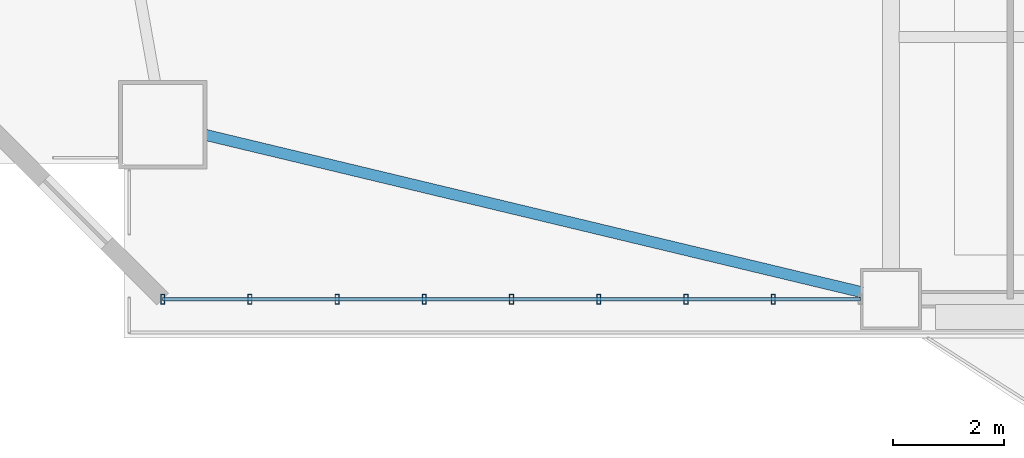
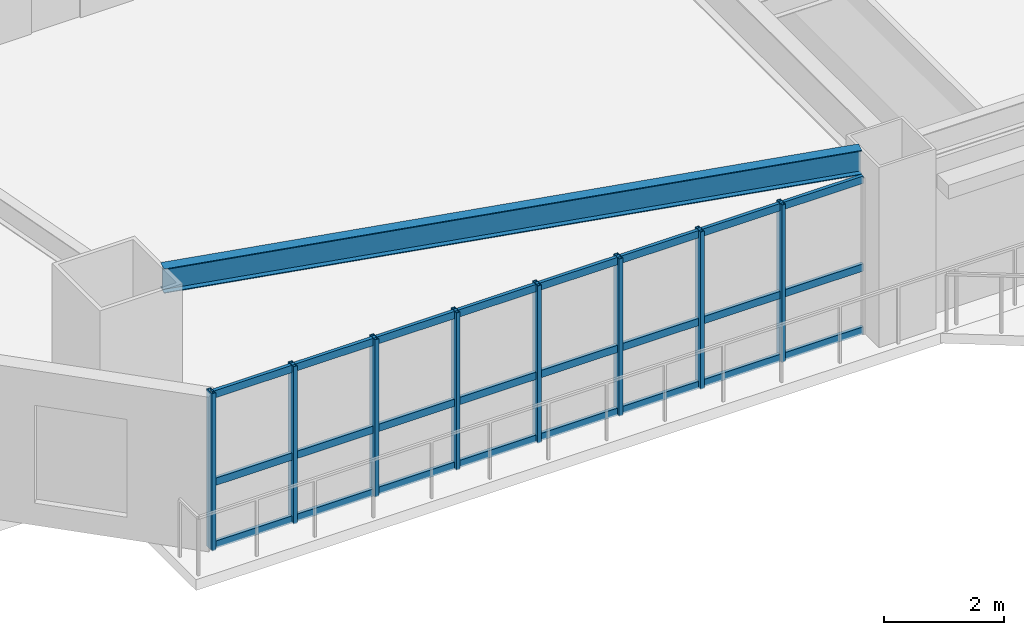
# One storey, part 2 of 17: 11 members, 1 beam, 1 element without a shape of its own.
"""IFC4 building model written with IfcOpenShell, lengths in metres."""

from ifc_helpers import new_model, si_unit, direction, frame, origin, origin_2d, place, context, subcontext, project, spatial, hollow_rectangle, i_section, extrude, source, transform, mapped, material, layer, layer_set, material_profile, profile_set, type_object, element, aggregate, save


model = new_model("IFC4")

# Units and contexts
model_context = context("Model", 3, precision=1e-05, world=origin(), true_north=direction((0.0, 1.0)))
body_context = subcontext(model_context, "Body", "Model", "MODEL_VIEW")
ifc_project = project(units=[si_unit("LENGTHUNIT", "METRE"), si_unit("AREAUNIT", "SQUARE_METRE"), si_unit("VOLUMEUNIT", "CUBIC_METRE"), si_unit("PLANEANGLEUNIT", "RADIAN"), si_unit("MASSUNIT", "GRAM", prefix="KILO")], contexts=[model_context])

# Site, building, storey
site_placement = place(None, origin())
site = spatial("IfcSite", under=ifc_project, at=site_placement, CompositionType="ELEMENT")
building_placement = place(site_placement, origin())
building = spatial("IfcBuilding", under=site, at=building_placement, Name="Giltprow Tower", CompositionType="ELEMENT")
storey_placement = place(building_placement, frame((0.0, 0.0, 53.300048828125)))
storey = spatial("IfcBuildingStorey", under=building, at=storey_placement, Name="L13", CompositionType="ELEMENT", Elevation=53.300048828125)

# Beam
ifc_material_1 = material(Name="Structural steel Q355B", Category="steel")
ifc_material_profile_1 = material_profile(ifc_material_1, i_section(OverallWidth=0.199951171875, OverallDepth=0.5, WebThickness=0.010009765625, FlangeThickness=0.01611328125, at=origin_2d()), Name="HN 500x200x10x16")
ifc_profile_set_1 = profile_set([ifc_material_profile_1], Name="Structural steel Q355B")
beam_type = type_object("IfcBeamType", Name="BM-SPAN-HN500", PredefinedType="SPANDREL", material=ifc_profile_set_1)
shared_shape_1 = source(origin(), body_context, "Body", "SweptSolid", [
    extrude(i_section(OverallWidth=0.199951171875, OverallDepth=0.5, WebThickness=0.010009765625, FlangeThickness=0.01611328125, at=origin_2d()), origin(), (0.0, 0.0, 1.0), 12.184814453125),
])
beam_placement = place(storey_placement, frame((7.48095703125, 7.319091796875, 3.429931640625), z_axis=(0.972456190307, -0.233085730866, 0.0), x_axis=(0.233085730866, 0.972456190307, 0.0)))
element("IfcBeam", 1, at=beam_placement, inside=storey, type_object=beam_type, Name="L13 Perimeter Spandrel Beam MC_SW-S1", PredefinedType="SPANDREL", context=body_context, shape_type="MappedRepresentation", body=[
    mapped(shared_shape_1, transform((0.0, 0.0, 0.0), x_axis=(1.0, 0.0, 0.0), y_axis=(0.0, 1.0, 0.0), z_axis=(0.0, 0.0, 1.0), scale=1.0)),
])

# Curtain wall, members
ifc_material_2 = material(Name="Anodized bronze", Category="metal")
ifc_layer = layer(ifc_material_2, 0.179931640625, Name="Anodized bronze")
ifc_layer_set = layer_set([ifc_layer], Name="Anodized bronze")
curtain_wall_type = type_object("IfcCurtainWallType", Name="CW-OFF-RECESSED", PredefinedType="NOTDEFINED", material=ifc_layer_set)
curtain_wall_placement = place(storey_placement, origin())
curtain_wall = element("IfcCurtainWall", 2, at=curtain_wall_placement, inside=storey, type_object=curtain_wall_type, Name="L13 South Recessed Curtain Wall 1", PredefinedType="NOTDEFINED")
ifc_material_profile_2 = material_profile(ifc_material_2, hollow_rectangle(XDim=0.074951171875, YDim=0.179931640625, WallThickness=0.008056640625, at=origin_2d()), Name="RHS 180x75x8")
ifc_profile_set_2 = profile_set([ifc_material_profile_2], Name="Anodized bronze")
member_type_1 = type_object("IfcMemberType", Name="CW-MULLION-180x75", PredefinedType="MULLION", material=ifc_profile_set_2)
shared_shape_2 = source(origin(), body_context, "Body", "SweptSolid", [
    extrude(hollow_rectangle(XDim=0.074951171875, YDim=0.179931640625, WallThickness=0.008056640625, at=origin_2d()), origin(), (0.0, 0.0, 1.0), 3.215087890625),
])
member_1_placement = place(storey_placement, frame((6.718017578125, 4.35400390625, -0.02001953125), z_axis=(0.0, 0.0, 1.0), x_axis=(1.0, 0.0, 0.0)))
member_1 = element("IfcMember", 3, at=member_1_placement, type_object=member_type_1, Name="L13 South Recessed Curtain Wall 1 Mullion 1", PredefinedType="MULLION", context=body_context, shape_type="MappedRepresentation", body=[
    mapped(shared_shape_2, transform((0.0, 0.0, 0.0), x_axis=(1.0, 0.0, 0.0), y_axis=(0.0, 1.0, 0.0), z_axis=(0.0, 0.0, 1.0), scale=1.0)),
])
member_2_placement = place(storey_placement, frame((8.291015625, 4.35400390625, -0.02001953125), z_axis=(0.0, 0.0, 1.0), x_axis=(1.0, 0.0, 0.0)))
member_2 = element("IfcMember", 4, at=member_2_placement, type_object=member_type_1, Name="L13 South Recessed Curtain Wall 1 Mullion 2", PredefinedType="MULLION", context=body_context, shape_type="MappedRepresentation", body=[
    mapped(shared_shape_2, transform((0.0, 0.0, 0.0), x_axis=(1.0, 0.0, 0.0), y_axis=(0.0, 1.0, 0.0), z_axis=(0.0, 0.0, 1.0), scale=1.0)),
])
member_3_placement = place(storey_placement, frame((9.864013671875, 4.35400390625, -0.02001953125), z_axis=(0.0, 0.0, 1.0), x_axis=(1.0, 0.0, 0.0)))
member_3 = element("IfcMember", 5, at=member_3_placement, type_object=member_type_1, Name="L13 South Recessed Curtain Wall 1 Mullion 3", PredefinedType="MULLION", context=body_context, shape_type="MappedRepresentation", body=[
    mapped(shared_shape_2, transform((0.0, 0.0, 0.0), x_axis=(1.0, 0.0, 0.0), y_axis=(0.0, 1.0, 0.0), z_axis=(0.0, 0.0, 1.0), scale=1.0)),
])
member_4_placement = place(storey_placement, frame((11.43603515625, 4.35400390625, -0.02001953125), z_axis=(0.0, 0.0, 1.0), x_axis=(1.0, 0.0, 0.0)))
member_4 = element("IfcMember", 6, at=member_4_placement, type_object=member_type_1, Name="L13 South Recessed Curtain Wall 1 Mullion 4", PredefinedType="MULLION", context=body_context, shape_type="MappedRepresentation", body=[
    mapped(shared_shape_2, transform((0.0, 0.0, 0.0), x_axis=(1.0, 0.0, 0.0), y_axis=(0.0, 1.0, 0.0), z_axis=(0.0, 0.0, 1.0), scale=1.0)),
])
member_5_placement = place(storey_placement, frame((13.009033203125, 4.35400390625, -0.02001953125), z_axis=(0.0, 0.0, 1.0), x_axis=(1.0, 0.0, 0.0)))
member_5 = element("IfcMember", 7, at=member_5_placement, type_object=member_type_1, Name="L13 South Recessed Curtain Wall 1 Mullion 5", PredefinedType="MULLION", context=body_context, shape_type="MappedRepresentation", body=[
    mapped(shared_shape_2, transform((0.0, 0.0, 0.0), x_axis=(1.0, 0.0, 0.0), y_axis=(0.0, 1.0, 0.0), z_axis=(0.0, 0.0, 1.0), scale=1.0)),
])
member_6_placement = place(storey_placement, frame((14.58203125, 4.35400390625, -0.02001953125), z_axis=(0.0, 0.0, 1.0), x_axis=(1.0, 0.0, 0.0)))
member_6 = element("IfcMember", 8, at=member_6_placement, type_object=member_type_1, Name="L13 South Recessed Curtain Wall 1 Mullion 6", PredefinedType="MULLION", context=body_context, shape_type="MappedRepresentation", body=[
    mapped(shared_shape_2, transform((0.0, 0.0, 0.0), x_axis=(1.0, 0.0, 0.0), y_axis=(0.0, 1.0, 0.0), z_axis=(0.0, 0.0, 1.0), scale=1.0)),
])
member_7_placement = place(storey_placement, frame((16.154052734375, 4.35400390625, -0.02001953125), z_axis=(0.0, 0.0, 1.0), x_axis=(1.0, 0.0, 0.0)))
member_7 = element("IfcMember", 9, at=member_7_placement, type_object=member_type_1, Name="L13 South Recessed Curtain Wall 1 Mullion 7", PredefinedType="MULLION", context=body_context, shape_type="MappedRepresentation", body=[
    mapped(shared_shape_2, transform((0.0, 0.0, 0.0), x_axis=(1.0, 0.0, 0.0), y_axis=(0.0, 1.0, 0.0), z_axis=(0.0, 0.0, 1.0), scale=1.0)),
])
member_8_placement = place(storey_placement, frame((17.72705078125, 4.35400390625, -0.02001953125), z_axis=(0.0, 0.0, 1.0), x_axis=(1.0, 0.0, 0.0)))
member_8 = element("IfcMember", 10, at=member_8_placement, type_object=member_type_1, Name="L13 South Recessed Curtain Wall 1 Mullion 8", PredefinedType="MULLION", context=body_context, shape_type="MappedRepresentation", body=[
    mapped(shared_shape_2, transform((0.0, 0.0, 0.0), x_axis=(1.0, 0.0, 0.0), y_axis=(0.0, 1.0, 0.0), z_axis=(0.0, 0.0, 1.0), scale=1.0)),
])
ifc_material_profile_3 = material_profile(ifc_material_2, hollow_rectangle(XDim=0.06494140625, YDim=0.14990234375, WallThickness=0.006103515625, at=origin_2d()), Name="RHS 150x65x6")
ifc_profile_set_3 = profile_set([ifc_material_profile_3], Name="Anodized bronze")
member_type_2 = type_object("IfcMemberType", Name="CW-TRANSOM-150x65", PredefinedType="USERDEFINED", material=ifc_profile_set_3)
shared_shape_3 = source(origin(), body_context, "Body", "SweptSolid", [
    extrude(hollow_rectangle(XDim=0.06494140625, YDim=0.14990234375, WallThickness=0.006103515625, at=origin_2d()), origin(), (0.0, 0.0, 1.0), 12.58203125),
])
member_9_placement = place(storey_placement, frame((6.718017578125, 4.35400390625, 0.0400390625), z_axis=(1.0, 0.0, 0.0), x_axis=(0.0, 1.0, 0.0)))
member_9 = element("IfcMember", 11, at=member_9_placement, type_object=member_type_2, Name="L13 South Recessed Curtain Wall 1 Transom 1", ObjectType="TRANSOM", PredefinedType="USERDEFINED", context=body_context, shape_type="MappedRepresentation", body=[
    mapped(shared_shape_3, transform((0.0, 0.0, 0.0), x_axis=(1.0, 0.0, 0.0), y_axis=(0.0, 1.0, 0.0), z_axis=(0.0, 0.0, 1.0), scale=1.0)),
])
member_10_placement = place(storey_placement, frame((6.718017578125, 4.35400390625, 1.326904296875), z_axis=(1.0, 0.0, 0.0), x_axis=(0.0, 1.0, 0.0)))
member_10 = element("IfcMember", 12, at=member_10_placement, type_object=member_type_2, Name="L13 South Recessed Curtain Wall 1 Transom 2", ObjectType="TRANSOM", PredefinedType="USERDEFINED", context=body_context, shape_type="MappedRepresentation", body=[
    mapped(shared_shape_3, transform((0.0, 0.0, 0.0), x_axis=(1.0, 0.0, 0.0), y_axis=(0.0, 1.0, 0.0), z_axis=(0.0, 0.0, 1.0), scale=1.0)),
])
member_11_placement = place(storey_placement, frame((6.718017578125, 4.35400390625, 3.119873046875), z_axis=(1.0, 0.0, 0.0), x_axis=(0.0, 1.0, 0.0)))
member_11 = element("IfcMember", 13, at=member_11_placement, type_object=member_type_2, Name="L13 South Recessed Curtain Wall 1 Transom 3", ObjectType="TRANSOM", PredefinedType="USERDEFINED", context=body_context, shape_type="MappedRepresentation", body=[
    mapped(shared_shape_3, transform((0.0, 0.0, 0.0), x_axis=(1.0, 0.0, 0.0), y_axis=(0.0, 1.0, 0.0), z_axis=(0.0, 0.0, 1.0), scale=1.0)),
])
aggregate(curtain_wall, [member_1, member_2, member_3, member_4, member_5, member_6, member_7, member_8, member_9, member_10, member_11])

save(model, "model.ifc")
